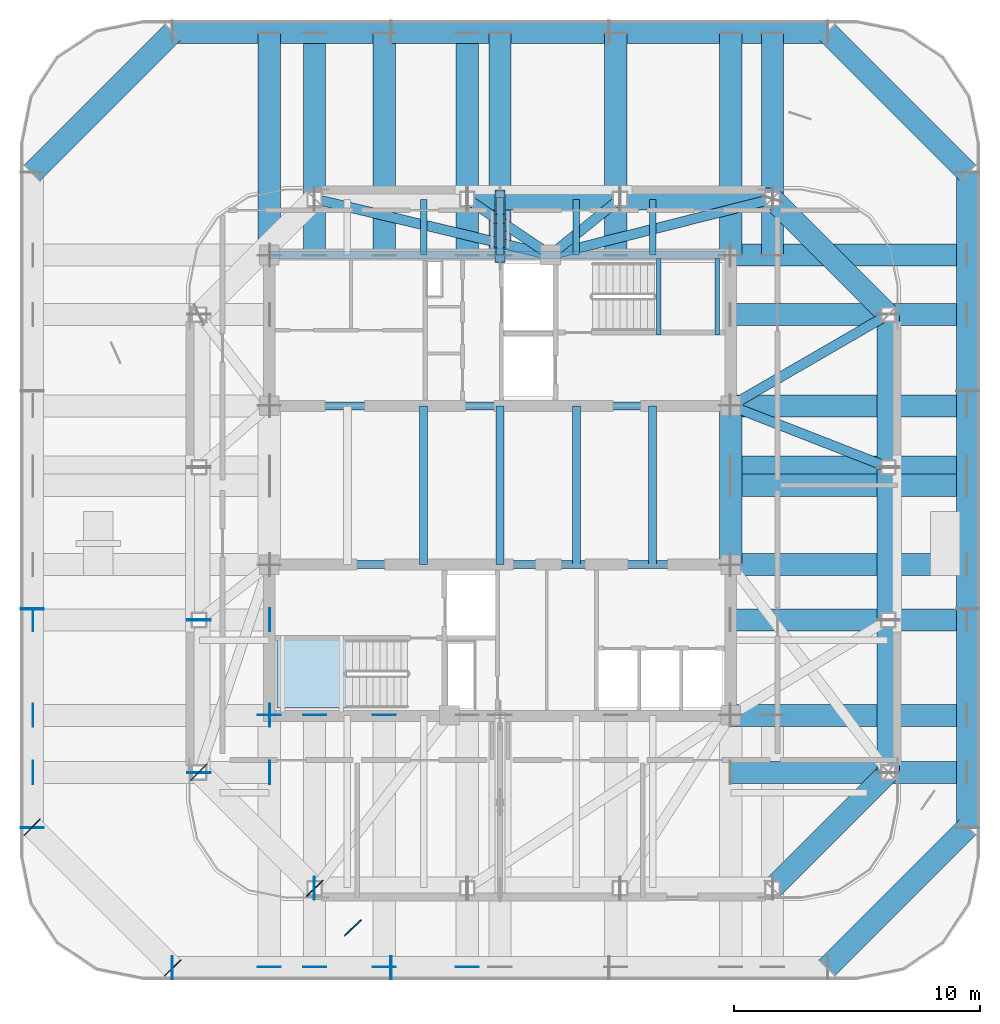
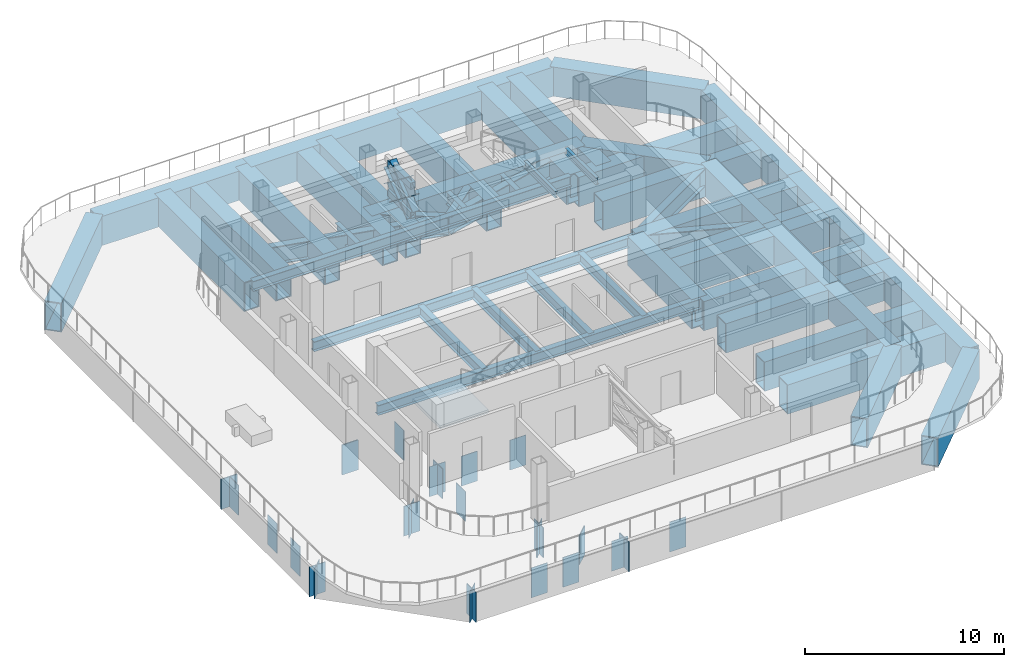
# One storey, part 2 of 10: 52 beams, 29 plates, 5 members, 1 slab, 1 element without a shape of its own.
"""IFC4 building model written with IfcOpenShell, lengths in metres."""

from ifc_helpers import new_model, si_unit, direction, frame, origin, origin_2d, place, context, subcontext, project, spatial, polyline, rectangle, hollow_rectangle, i_section, outline, extrude, material, layer, layer_set, material_profile, profile_set, type_object, element, aggregate, save


model = new_model("IFC4")

# Units and contexts
model_context = context("Model", 3, precision=1e-05, world=origin(), true_north=direction((0.0, 1.0)))
body_context = subcontext(model_context, "Body", "Model", "MODEL_VIEW")
ifc_project = project(units=[si_unit("LENGTHUNIT", "METRE"), si_unit("AREAUNIT", "SQUARE_METRE"), si_unit("VOLUMEUNIT", "CUBIC_METRE"), si_unit("PLANEANGLEUNIT", "RADIAN"), si_unit("MASSUNIT", "GRAM", prefix="KILO")], contexts=[model_context])

# Site, building, storey
site_placement = place(None, origin())
site = spatial("IfcSite", under=ifc_project, at=site_placement, CompositionType="ELEMENT")
building_placement = place(site_placement, origin())
building = spatial("IfcBuilding", under=site, at=building_placement, Name="Qhalaya Broadcast Tower", CompositionType="ELEMENT")
storey_placement = place(building_placement, frame((0.0, 0.0, 231.300048828125)))
storey = spatial("IfcBuildingStorey", under=building, at=storey_placement, Name="L68", CompositionType="ELEMENT", Elevation=231.300048828125)

# Beams
ifc_material_1 = material(Name="Structural Steel ASTM A572 Grade 50", Category="steel")
ifc_material_profile_1 = material_profile(ifc_material_1, hollow_rectangle(XDim=0.89990234375, YDim=1.800048828125, WallThickness=0.06005859375, at=origin_2d()), Name="BOX 900x1800x60")
ifc_profile_set_1 = profile_set([ifc_material_profile_1], Name="Structural Steel ASTM A572 Grade 50")
beam_type_1 = type_object("IfcBeamType", Name="Block Cantilever Transfer Box Girder TG1", PredefinedType="USERDEFINED", material=ifc_profile_set_1)
beam_1_placement = place(storey_placement, frame((11.070068359375, -15.77001953125, -1.179931640625), z_axis=(0.707106781187, 0.707106781187, 0.0), x_axis=(-0.707106781187, 0.707106781187, 0.0)))
element("IfcBeam", 1, at=beam_1_placement, inside=storey, type_object=beam_type_1, Name="L68 TG1 L68-SPR-04", ObjectType="GIRDER", PredefinedType="USERDEFINED", context=body_context, shape_type="SweptSolid", body=[
    extrude(hollow_rectangle(XDim=0.89990234375, YDim=1.800048828125, WallThickness=0.06005859375, at=origin_2d()), origin(), (0.0, 0.0, 1.0), 6.646728515625),
])
beam_2_placement = place(storey_placement, frame((15.77001953125, -11.070068359375, -1.179931640625), z_axis=(0.0, 1.0, 0.0), x_axis=(-1.0, 0.0, 0.0)))
element("IfcBeam", 2, at=beam_2_placement, inside=storey, type_object=beam_type_1, Name="L68 TG1 L68-SPR-05", ObjectType="GIRDER", PredefinedType="USERDEFINED", context=body_context, shape_type="SweptSolid", body=[
    extrude(hollow_rectangle(XDim=0.89990234375, YDim=1.800048828125, WallThickness=0.06005859375, at=origin_2d()), origin(), (0.0, 0.0, 1.0), 6.199951171875),
])
beam_3_placement = place(storey_placement, frame((15.77001953125, -4.8701171875, -1.179931640625), z_axis=(0.0, 1.0, 0.0), x_axis=(-1.0, 0.0, 0.0)))
element("IfcBeam", 3, at=beam_3_placement, inside=storey, type_object=beam_type_1, Name="L68 TG1 L68-SPR-06", ObjectType="GIRDER", PredefinedType="USERDEFINED", context=body_context, shape_type="SweptSolid", body=[
    extrude(hollow_rectangle(XDim=0.89990234375, YDim=1.800048828125, WallThickness=0.06005859375, at=origin_2d()), origin(), (0.0, 0.0, 1.0), 6.2001953125),
])
beam_4_placement = place(storey_placement, frame((15.77001953125, 1.330078125, -1.179931640625), z_axis=(0.0, 1.0, 0.0), x_axis=(-1.0, 0.0, 0.0)))
element("IfcBeam", 4, at=beam_4_placement, inside=storey, type_object=beam_type_1, Name="L68 TG1 L68-SPR-07", ObjectType="GIRDER", PredefinedType="USERDEFINED", context=body_context, shape_type="SweptSolid", body=[
    extrude(hollow_rectangle(XDim=0.89990234375, YDim=1.800048828125, WallThickness=0.06005859375, at=origin_2d()), origin(), (0.0, 0.0, 1.0), 6.199951171875),
])
beam_5_placement = place(storey_placement, frame((15.77001953125, 7.530029296875, -1.179931640625), z_axis=(-0.707106781187, 0.707106781187, 0.0), x_axis=(-0.707106781187, -0.707106781187, 0.0)))
element("IfcBeam", 5, at=beam_5_placement, inside=storey, type_object=beam_type_1, Name="L68 TG1 L68-SPR-08", ObjectType="GIRDER", PredefinedType="USERDEFINED", context=body_context, shape_type="SweptSolid", body=[
    extrude(hollow_rectangle(XDim=0.89990234375, YDim=1.800048828125, WallThickness=0.06005859375, at=origin_2d()), origin(), (0.0, 0.0, 1.0), 6.646728515625),
])
beam_6_placement = place(storey_placement, frame((11.070068359375, 12.22998046875, -1.179931640625), z_axis=(-1.0, 0.0, 0.0), x_axis=(0.0, -1.0, 0.0)))
element("IfcBeam", 6, at=beam_6_placement, inside=storey, type_object=beam_type_1, Name="L68 TG1 L68-SPR-09", ObjectType="GIRDER", PredefinedType="USERDEFINED", context=body_context, shape_type="SweptSolid", body=[
    extrude(hollow_rectangle(XDim=0.89990234375, YDim=1.800048828125, WallThickness=0.06005859375, at=origin_2d()), origin(), (0.0, 0.0, 1.0), 6.199951171875),
])
beam_7_placement = place(storey_placement, frame((4.8701171875, 12.22998046875, -1.179931640625), z_axis=(-1.0, 0.0, 0.0), x_axis=(0.0, -1.0, 0.0)))
element("IfcBeam", 7, at=beam_7_placement, inside=storey, type_object=beam_type_1, Name="L68 TG1 L68-SPR-10", ObjectType="GIRDER", PredefinedType="USERDEFINED", context=body_context, shape_type="SweptSolid", body=[
    extrude(hollow_rectangle(XDim=0.89990234375, YDim=1.800048828125, WallThickness=0.06005859375, at=origin_2d()), origin(), (0.0, 0.0, 1.0), 6.2001953125),
])
beam_8_placement = place(storey_placement, frame((13.300048828125, -19.0, -1.179931640625), z_axis=(0.707106781187, 0.707106781187, 0.0), x_axis=(-0.707106781187, 0.707106781187, 0.0)))
element("IfcBeam", 8, at=beam_8_placement, inside=storey, type_object=beam_type_1, Name="L68 TG1 L68-TGL-04", ObjectType="GIRDER", PredefinedType="USERDEFINED", context=body_context, shape_type="SweptSolid", body=[
    extrude(hollow_rectangle(XDim=0.89990234375, YDim=1.800048828125, WallThickness=0.06005859375, at=origin_2d()), origin(), (0.0, 0.0, 1.0), 8.06103515625),
])
for number, where, z_axis, x_axis, name in (
    (9, (19.0, -13.300048828125, -1.179931640625), (0.0, 1.0, 0.0), (-1.0, 0.0, 0.0), "L68 TG1 L68-TGL-05"),
    (10, (19.0, -4.433349609375, -1.179931640625), (0.0, 1.0, 0.0), (-1.0, 0.0, 0.0), "L68 TG1 L68-TGL-06"),
    (11, (19.0, 4.433349609375, -1.179931640625), (0.0, 1.0, 0.0), (-1.0, 0.0, 0.0), "L68 TG1 L68-TGL-07"),
):
    element("IfcBeam", number, at=place(storey_placement, frame(where, z_axis=z_axis, x_axis=x_axis)), inside=storey, type_object=beam_type_1, Name=name, ObjectType="GIRDER", PredefinedType="USERDEFINED", context=body_context, shape_type="SweptSolid", body=[
        extrude(hollow_rectangle(XDim=0.89990234375, YDim=1.800048828125, WallThickness=0.06005859375, at=origin_2d()), origin(), (0.0, 0.0, 1.0), 8.86669921875),
    ])
beam_9_placement = place(storey_placement, frame((19.0, 13.300048828125, -1.179931640625), z_axis=(-0.707106781187, 0.707106781187, 0.0), x_axis=(-0.707106781187, -0.707106781187, 0.0)))
element("IfcBeam", 12, at=beam_9_placement, inside=storey, type_object=beam_type_1, Name="L68 TG1 L68-TGL-08", ObjectType="GIRDER", PredefinedType="USERDEFINED", context=body_context, shape_type="SweptSolid", body=[
    extrude(hollow_rectangle(XDim=0.89990234375, YDim=1.800048828125, WallThickness=0.06005859375, at=origin_2d()), origin(), (0.0, 0.0, 1.0), 8.06103515625),
])
for number, where, z_axis, x_axis, name in (
    (13, (13.300048828125, 19.0, -1.179931640625), (-1.0, 0.0, 0.0), (0.0, -1.0, 0.0), "L68 TG1 L68-TGL-09"),
    (14, (4.433349609375, 19.0, -1.179931640625), (-1.0, 0.0, 0.0), (0.0, -1.0, 0.0), "L68 TG1 L68-TGL-10"),
    (15, (-4.433349609375, 19.0, -1.179931640625), (-1.0, 0.0, 0.0), (0.0, -1.0, 0.0), "L68 TG1 L68-TGL-11"),
):
    element("IfcBeam", number, at=place(storey_placement, frame(where, z_axis=z_axis, x_axis=x_axis)), inside=storey, type_object=beam_type_1, Name=name, ObjectType="GIRDER", PredefinedType="USERDEFINED", context=body_context, shape_type="SweptSolid", body=[
        extrude(hollow_rectangle(XDim=0.89990234375, YDim=1.800048828125, WallThickness=0.06005859375, at=origin_2d()), origin(), (0.0, 0.0, 1.0), 8.86669921875),
    ])
beam_10_placement = place(storey_placement, frame((-13.300048828125, 19.0, -1.179931640625), z_axis=(-0.707106781187, -0.707106781187, 0.0), x_axis=(0.707106781187, -0.707106781187, 0.0)))
element("IfcBeam", 16, at=beam_10_placement, inside=storey, type_object=beam_type_1, Name="L68 TG1 L68-TGL-12", ObjectType="GIRDER", PredefinedType="USERDEFINED", context=body_context, shape_type="SweptSolid", body=[
    extrude(hollow_rectangle(XDim=0.89990234375, YDim=1.800048828125, WallThickness=0.06005859375, at=origin_2d()), origin(), (0.0, 0.0, 1.0), 8.06103515625),
])
for number, where, z_axis, x_axis, name in (
    (17, (-9.375, 9.949951171875, -1.179931640625), (0.0, 1.0, 0.0), (-1.0, 0.0, 0.0), "L68 TG1 L68-TGINW-1"),
    (18, (9.375, 9.949951171875, -1.179931640625), (0.0, 1.0, 0.0), (-1.0, 0.0, 0.0), "L68 TG1 L68-TGINE-1"),
    (19, (0.0, 9.949951171875, -1.179931640625), (0.0, 1.0, 0.0), (-1.0, 0.0, 0.0), "L68 TG1 L68-TGIMN-1"),
    (20, (-4.699951171875, 9.949951171875, -1.179931640625), (0.0, 1.0, 0.0), (-1.0, 0.0, 0.0), "L68 TG1 L68-TGIMNW-1"),
    (21, (4.699951171875, 9.949951171875, -1.179931640625), (0.0, 1.0, 0.0), (-1.0, 0.0, 0.0), "L68 TG1 L68-TGIMNE-1"),
):
    element("IfcBeam", number, at=place(storey_placement, frame(where, z_axis=z_axis, x_axis=x_axis)), inside=storey, type_object=beam_type_1, Name=name, ObjectType="GIRDER", PredefinedType="USERDEFINED", context=body_context, shape_type="SweptSolid", body=[
        extrude(hollow_rectangle(XDim=0.89990234375, YDim=1.800048828125, WallThickness=0.06005859375, at=origin_2d()), origin(), (0.0, 0.0, 1.0), 9.010009765625),
    ])
beam_11_placement = place(storey_placement, frame((9.375, 0.60009765625, -1.179931640625), z_axis=(1.0, 0.0, 0.0), x_axis=(0.0, 1.0, 0.0)))
element("IfcBeam", 22, at=beam_11_placement, inside=storey, type_object=beam_type_1, Name="L68 TG1 L68-TGIYE-1", ObjectType="GIRDER", PredefinedType="USERDEFINED", context=body_context, shape_type="SweptSolid", body=[
    extrude(hollow_rectangle(XDim=0.89990234375, YDim=1.800048828125, WallThickness=0.06005859375, at=origin_2d()), origin(), (0.0, 0.0, 1.0), 9.5849609375),
])
beam_12_placement = place(storey_placement, frame((9.375, -2.625, -1.179931640625), z_axis=(0.0, 1.0, 0.0), x_axis=(-1.0, 0.0, 0.0)))
element("IfcBeam", 23, at=beam_12_placement, inside=storey, type_object=beam_type_1, Name="L68 TG1 L68-TGIME-1", ObjectType="GIRDER", PredefinedType="USERDEFINED", context=body_context, shape_type="SweptSolid", body=[
    extrude(hollow_rectangle(XDim=0.89990234375, YDim=1.800048828125, WallThickness=0.06005859375, at=origin_2d()), origin(), (0.0, 0.0, 1.0), 6.449951171875),
])
for number, where, z_axis, x_axis, name in (
    (24, (9.375, -8.75, -1.179931640625), (1.0, 0.0, 0.0), (0.0, 1.0, 0.0), "L68 TG1 L68-TGIY1E-1"),
    (25, (9.375, -2.625, -1.179931640625), (1.0, 0.0, 0.0), (0.0, 1.0, 0.0), "L68 TG1 L68-TGIY2E-1"),
    (26, (9.375, 3.824951171875, -1.179931640625), (1.0, 0.0, 0.0), (0.0, 1.0, 0.0), "L68 TG1 L68-TGIY3E-1"),
    (27, (9.375, 9.949951171875, -1.179931640625), (1.0, 0.0, 0.0), (0.0, 1.0, 0.0), "L68 TG1 L68-TGIY4E-1"),
    (28, (9.375, -11.070068359375, -1.179931640625), (1.0, 0.0, 0.0), (0.0, 1.0, 0.0), "L68 Spanning Transfer Box Girder 05"),
    (29, (9.375, -4.8701171875, -1.179931640625), (1.0, 0.0, 0.0), (0.0, 1.0, 0.0), "L68 Spanning Transfer Box Girder 06"),
    (30, (9.375, 1.330078125, -1.179931640625), (1.0, 0.0, 0.0), (0.0, 1.0, 0.0), "L68 Spanning Transfer Box Girder 07"),
    (31, (9.375, 7.530029296875, -1.179931640625), (1.0, 0.0, 0.0), (0.0, 1.0, 0.0), "L68 Spanning Transfer Box Girder 08"),
):
    element("IfcBeam", number, at=place(storey_placement, frame(where, z_axis=z_axis, x_axis=x_axis)), inside=storey, type_object=beam_type_1, Name=name, ObjectType="GIRDER", PredefinedType="USERDEFINED", context=body_context, shape_type="SweptSolid", body=[
        extrude(hollow_rectangle(XDim=0.89990234375, YDim=1.800048828125, WallThickness=0.06005859375, at=origin_2d()), origin(), (0.0, 0.0, 1.0), 9.5849609375),
    ])
for number, where, z_axis, x_axis, name in (
    (32, (11.070068359375, 9.949951171875, -1.179931640625), (0.0, 1.0, 0.0), (-1.0, 0.0, 0.0), "L68 Spanning Transfer Box Girder 09"),
    (33, (-1.330078125, 9.949951171875, -1.179931640625), (0.0, 1.0, 0.0), (-1.0, 0.0, 0.0), "L68 Spanning Transfer Box Girder 11"),
    (34, (-7.530029296875, 9.949951171875, -1.179931640625), (0.0, 1.0, 0.0), (-1.0, 0.0, 0.0), "L68 Spanning Transfer Box Girder 12"),
):
    element("IfcBeam", number, at=place(storey_placement, frame(where, z_axis=z_axis, x_axis=x_axis)), inside=storey, type_object=beam_type_1, Name=name, ObjectType="GIRDER", PredefinedType="USERDEFINED", context=body_context, shape_type="SweptSolid", body=[
        extrude(hollow_rectangle(XDim=0.89990234375, YDim=1.800048828125, WallThickness=0.06005859375, at=origin_2d()), origin(), (0.0, 0.0, 1.0), 9.010009765625),
    ])
ifc_material_2 = material(Name="Structural Steel ASTM A992 Grade 50", Category="steel")
ifc_material_profile_2 = material_profile(ifc_material_2, i_section(OverallWidth=0.323974609375, OverallDepth=0.612060546875, WebThickness=0.0126953125, FlangeThickness=0.01904296875, at=origin_2d()), Name="W24X104")
ifc_profile_set_2 = profile_set([ifc_material_profile_2], Name="Structural Steel ASTM A992 Grade 50")
beam_type_2 = type_object("IfcBeamType", Name="Core Frame Tie Beam B04", PredefinedType="BEAM", material=ifc_profile_set_2)
beam_13_placement = place(storey_placement, frame((-9.375, 3.824951171875, -0.5859375), z_axis=(1.0, 0.0, 0.0), x_axis=(0.0, 1.0, 0.0)))
element("IfcBeam", 35, at=beam_13_placement, inside=storey, type_object=beam_type_2, Name="L68 B04 L68-CCN1", PredefinedType="BEAM", context=body_context, shape_type="SweptSolid", body=[
    extrude(i_section(OverallWidth=0.323974609375, OverallDepth=0.612060546875, WebThickness=0.0126953125, FlangeThickness=0.01904296875, at=origin_2d()), origin(), (0.0, 0.0, 1.0), 18.75),
])
beam_14_placement = place(storey_placement, frame((-9.375, 9.949951171875, -0.5859375), z_axis=(1.0, 0.0, 0.0), x_axis=(0.0, 1.0, 0.0)))
element("IfcBeam", 36, at=beam_14_placement, inside=storey, type_object=beam_type_2, Name="L68 B04 L68-CCN3", PredefinedType="BEAM", context=body_context, shape_type="SweptSolid", body=[
    extrude(i_section(OverallWidth=0.323974609375, OverallDepth=0.612060546875, WebThickness=0.0126953125, FlangeThickness=0.01904296875, at=origin_2d()), origin(), (0.0, 0.0, 1.0), 18.4951171875),
])
beam_15_placement = place(storey_placement, frame((-9.375, -2.625, -0.5859375), z_axis=(1.0, 0.0, 0.0), x_axis=(0.0, 1.0, 0.0)))
element("IfcBeam", 37, at=beam_15_placement, inside=storey, type_object=beam_type_2, Name="L68 B04 L68-CCS1", PredefinedType="BEAM", context=body_context, shape_type="SweptSolid", body=[
    extrude(i_section(OverallWidth=0.323974609375, OverallDepth=0.612060546875, WebThickness=0.0126953125, FlangeThickness=0.01904296875, at=origin_2d()), origin(), (0.0, 0.0, 1.0), 18.75),
])
for number, where, z_axis, x_axis, name in (
    (38, (-3.10009765625, -2.625, -0.5859375), (0.0, 1.0, 0.0), (-1.0, 0.0, 0.0), "L68 B04 L68-JC2-1"),
    (39, (0.0, -2.625, -0.5859375), (0.0, 1.0, 0.0), (-1.0, 0.0, 0.0), "L68 B04 L68-JC3-1"),
    (40, (3.10009765625, -2.625, -0.5859375), (0.0, 1.0, 0.0), (-1.0, 0.0, 0.0), "L68 B04 L68-JC4-1"),
    (41, (6.199951171875, -2.625, -0.5859375), (0.0, 1.0, 0.0), (-1.0, 0.0, 0.0), "L68 B04 L68-JC5-1"),
):
    element("IfcBeam", number, at=place(storey_placement, frame(where, z_axis=z_axis, x_axis=x_axis)), inside=storey, type_object=beam_type_2, Name=name, PredefinedType="BEAM", context=body_context, shape_type="SweptSolid", body=[
        extrude(i_section(OverallWidth=0.323974609375, OverallDepth=0.612060546875, WebThickness=0.0126953125, FlangeThickness=0.01904296875, at=origin_2d()), origin(), (0.0, 0.0, 1.0), 6.449951171875),
    ])

# Members
ifc_material_profile_3 = material_profile(ifc_material_1, i_section(OverallWidth=0.40087890625, OverallDepth=1.0009765625, WebThickness=0.01904296875, FlangeThickness=0.0361328125, at=origin_2d()), Name="W40X249")
ifc_profile_set_3 = profile_set([ifc_material_profile_3], Name="Structural Steel ASTM A572 Grade 50")
member_type_1 = type_object("IfcMemberType", Name="Core-to-Perimeter Outrigger Brace OB1", PredefinedType="BRACE", material=ifc_profile_set_3)
member_1_placement = place(storey_placement, frame((0.0, 9.949951171875, 0.449951171875), z_axis=(0.0, 0.793006847824, 0.609212720898), x_axis=(-1.0, 0.0, 0.0)))
element("IfcMember", 42, at=member_1_placement, inside=storey, type_object=member_type_1, Name="L68 Outrigger Continuous Diagonal NCA", PredefinedType="BRACE", context=body_context, shape_type="SweptSolid", body=[
    extrude(i_section(OverallWidth=0.40087890625, OverallDepth=1.0009765625, WebThickness=0.01904296875, FlangeThickness=0.0361328125, at=origin_2d()), origin(), (0.0, 0.0, 1.0), 2.938232421875),
])
member_2_placement = place(storey_placement, frame((0.0, 9.949951171875, 2.239990234375), z_axis=(0.0, 0.793059405127, -0.609144301409), x_axis=(-1.0, 0.0, 0.0)))
element("IfcMember", 43, at=member_2_placement, inside=storey, type_object=member_type_1, Name="L68 Outrigger Split Diagonal NCB1", PredefinedType="BRACE", context=body_context, shape_type="SweptSolid", body=[
    extrude(i_section(OverallWidth=0.40087890625, OverallDepth=1.0009765625, WebThickness=0.01904296875, FlangeThickness=0.0361328125, at=origin_2d()), origin(), (0.0, 0.0, 1.0), 1.229248046875),
])
member_3_placement = place(storey_placement, frame((0.0, 11.305419921875, 1.19873046875), z_axis=(0.0, 0.792985691226, -0.609240259266), x_axis=(-1.0, 0.0, 0.0)))
element("IfcMember", 44, at=member_3_placement, inside=storey, type_object=member_type_1, Name="L68 Outrigger Split Diagonal NCB2", PredefinedType="BRACE", context=body_context, shape_type="SweptSolid", body=[
    extrude(i_section(OverallWidth=0.40087890625, OverallDepth=1.0009765625, WebThickness=0.01904296875, FlangeThickness=0.0361328125, at=origin_2d()), origin(), (0.0, 0.0, 1.0), 1.22900390625),
])
ifc_material_profile_4 = material_profile(ifc_material_1, hollow_rectangle(XDim=0.300048828125, YDim=0.39990234375, WallThickness=0.02001953125, at=origin_2d()), Name="HSS 300x400x20")
ifc_profile_set_4 = profile_set([ifc_material_profile_4], Name="Structural Steel ASTM A572 Grade 50")
member_type_2 = type_object("IfcMemberType", Name="Outrigger & Belt-Truss Chord CH1", PredefinedType="CHORD", material=ifc_profile_set_4)
for number, where, z_axis, x_axis, name in (
    (45, (0.0, 9.949951171875, 0.449951171875), (0.0, 1.0, 0.0), (-1.0, 0.0, 0.0), "L68 Outrigger Bottom Chord NC"),
    (46, (0.0, 9.949951171875, 2.239990234375), (0.0, 1.0, 0.0), (-1.0, 0.0, 0.0), "L68 Outrigger Top Chord NC"),
):
    element("IfcMember", number, at=place(storey_placement, frame(where, z_axis=z_axis, x_axis=x_axis)), inside=storey, type_object=member_type_2, Name=name, PredefinedType="CHORD", context=body_context, shape_type="SweptSolid", body=[
        extrude(hollow_rectangle(XDim=0.300048828125, YDim=0.39990234375, WallThickness=0.02001953125, at=origin_2d()), origin(), (0.0, 0.0, 1.0), 2.330078125),
    ])

# Beams
ifc_material_profile_5 = material_profile(ifc_material_2, i_section(OverallWidth=0.26708984375, OverallDepth=0.761962890625, WebThickness=0.014404296875, FlangeThickness=0.021484375, at=origin_2d()), Name="W30X116")
ifc_profile_set_5 = profile_set([ifc_material_profile_5], Name="Structural Steel ASTM A992 Grade 50")
beam_type_3 = type_object("IfcBeamType", Name="Plant & Server Floor Beam B02", PredefinedType="BEAM", material=ifc_profile_set_5)
for number, where, z_axis, x_axis, name in (
    (47, (-3.10009765625, 9.949951171875, -0.6611328125), (0.0, 1.0, 0.0), (-1.0, 0.0, 0.0), "L68 B02 L68-JNN2-1"),
    (48, (3.10009765625, 9.949951171875, -0.6611328125), (0.0, 1.0, 0.0), (-1.0, 0.0, 0.0), "L68 B02 L68-JNN4-1"),
    (49, (6.199951171875, 9.949951171875, -0.6611328125), (0.0, 1.0, 0.0), (-1.0, 0.0, 0.0), "L68 B02 L68-JNN5-1"),
):
    element("IfcBeam", number, at=place(storey_placement, frame(where, z_axis=z_axis, x_axis=x_axis)), inside=storey, type_object=beam_type_3, Name=name, PredefinedType="BEAM", context=body_context, shape_type="SweptSolid", body=[
        extrude(i_section(OverallWidth=0.26708984375, OverallDepth=0.761962890625, WebThickness=0.014404296875, FlangeThickness=0.021484375, at=origin_2d()), origin(), (0.0, 0.0, 1.0), 2.260009765625),
    ])
ifc_material_profile_6 = material_profile(ifc_material_2, i_section(OverallWidth=0.404052734375, OverallDepth=1.117919921875, WebThickness=0.026123046875, FlangeThickness=0.044921875, at=origin_2d()), Name="W44X335")
ifc_profile_set_6 = profile_set([ifc_material_profile_6], Name="Structural Steel ASTM A992 Grade 50")
beam_type_4 = type_object("IfcBeamType", Name="Podium Long-Span Primary Girder PG1", PredefinedType="USERDEFINED", material=ifc_profile_set_6)
beam_16_placement = place(storey_placement, frame((9.375, 3.824951171875, -0.839111328125), z_axis=(0.931614337442, -0.363448381855, 0.0), x_axis=(0.363448381855, 0.931614337442, 0.0)))
element("IfcBeam", 50, at=beam_16_placement, inside=storey, type_object=beam_type_4, Name="L68 Column-to-Column Moment Tie Girder 07-1", ObjectType="GIRDER", PredefinedType="USERDEFINED", context=body_context, shape_type="SweptSolid", body=[
    extrude(i_section(OverallWidth=0.404052734375, OverallDepth=1.117919921875, WebThickness=0.026123046875, FlangeThickness=0.044921875, at=origin_2d()), origin(), (0.0, 0.0, 1.0), 6.864501953125),
])
beam_17_placement = place(storey_placement, frame((9.375, 3.824951171875, -0.839111328125), z_axis=(0.86526793032, 0.501309693462, 0.0), x_axis=(-0.501309693462, 0.86526793032, 0.0)))
element("IfcBeam", 51, at=beam_17_placement, inside=storey, type_object=beam_type_4, Name="L68 Column-to-Column Moment Tie Girder 08-1", ObjectType="GIRDER", PredefinedType="USERDEFINED", context=body_context, shape_type="SweptSolid", body=[
    extrude(i_section(OverallWidth=0.404052734375, OverallDepth=1.117919921875, WebThickness=0.026123046875, FlangeThickness=0.044921875, at=origin_2d()), origin(), (0.0, 0.0, 1.0), 7.390869140625),
])
beam_18_placement = place(storey_placement, frame((2.050048828125, 9.949951171875, -0.839111328125), z_axis=(0.969506321963, 0.245066300569, 0.0), x_axis=(-0.245066300569, 0.969506321963, 0.0)))
element("IfcBeam", 52, at=beam_18_placement, inside=storey, type_object=beam_type_4, Name="L68 Column-to-Column Moment Tie Girder 09-2", ObjectType="GIRDER", PredefinedType="USERDEFINED", context=body_context, shape_type="SweptSolid", body=[
    extrude(i_section(OverallWidth=0.404052734375, OverallDepth=1.117919921875, WebThickness=0.026123046875, FlangeThickness=0.044921875, at=origin_2d()), origin(), (0.0, 0.0, 1.0), 9.3037109375),
])
beam_19_placement = place(storey_placement, frame((2.050048828125, 9.949951171875, -0.839111328125), z_axis=(0.777633528471, 0.628717818578, 0.0), x_axis=(-0.628717818578, 0.777633528471, 0.0)))
element("IfcBeam", 53, at=beam_19_placement, inside=storey, type_object=beam_type_4, Name="L68 Column-to-Column Moment Tie Girder 10-1", ObjectType="GIRDER", PredefinedType="USERDEFINED", context=body_context, shape_type="SweptSolid", body=[
    extrude(i_section(OverallWidth=0.404052734375, OverallDepth=1.117919921875, WebThickness=0.026123046875, FlangeThickness=0.044921875, at=origin_2d()), origin(), (0.0, 0.0, 1.0), 3.62646484375),
])
beam_20_placement = place(storey_placement, frame((2.050048828125, 9.949951171875, -0.839111328125), z_axis=(-0.829025647342, 0.55921058292, 0.0), x_axis=(-0.55921058292, -0.829025647342, 0.0)))
element("IfcBeam", 54, at=beam_20_placement, inside=storey, type_object=beam_type_4, Name="L68 Column-to-Column Moment Tie Girder 11-1", ObjectType="GIRDER", PredefinedType="USERDEFINED", context=body_context, shape_type="SweptSolid", body=[
    extrude(i_section(OverallWidth=0.404052734375, OverallDepth=1.117919921875, WebThickness=0.026123046875, FlangeThickness=0.044921875, at=origin_2d()), origin(), (0.0, 0.0, 1.0), 4.0771484375),
])
beam_21_placement = place(storey_placement, frame((2.050048828125, 9.949951171875, -0.839111328125), z_axis=(-0.972827756943, 0.231530031144, 0.0), x_axis=(-0.231530031144, -0.972827756943, 0.0)))
element("IfcBeam", 55, at=beam_21_placement, inside=storey, type_object=beam_type_4, Name="L68 Column-to-Column Moment Tie Girder 12-3", ObjectType="GIRDER", PredefinedType="USERDEFINED", context=body_context, shape_type="SweptSolid", body=[
    extrude(i_section(OverallWidth=0.404052734375, OverallDepth=1.117919921875, WebThickness=0.026123046875, FlangeThickness=0.044921875, at=origin_2d()), origin(), (0.0, 0.0, 1.0), 9.84765625),
])
ifc_material_profile_7 = material_profile(ifc_material_2, i_section(OverallWidth=0.177978515625, OverallDepth=0.406005859375, WebThickness=0.0078125, FlangeThickness=0.0126953125, at=origin_2d()), Name="W16X40")
ifc_profile_set_7 = profile_set([ifc_material_profile_7], Name="Structural Steel ASTM A992 Grade 50")
beam_type_5 = type_object("IfcBeamType", Name="Upper Perimeter Spandrel Beam SP2", PredefinedType="SPANDREL", material=ifc_profile_set_7)
for number, where, z_axis, x_axis, name in (
    (56, (6.455078125, 6.699951171875, 1.39697265625), (0.0, 1.0, 0.0), (-1.0, 0.0, 0.0), "L68 ST-1 Half-Landing Bearer Beam 1"),
    (57, (8.830078125, 6.699951171875, 1.39697265625), (0.0, 1.0, 0.0), (-1.0, 0.0, 0.0), "L68 ST-1 Half-Landing Bearer Beam 2"),
):
    element("IfcBeam", number, at=place(storey_placement, frame(where, z_axis=z_axis, x_axis=x_axis)), inside=storey, type_object=beam_type_5, Name=name, PredefinedType="SPANDREL", context=body_context, shape_type="SweptSolid", body=[
        extrude(i_section(OverallWidth=0.177978515625, OverallDepth=0.406005859375, WebThickness=0.0078125, FlangeThickness=0.0126953125, at=origin_2d()), origin(), (0.0, 0.0, 1.0), 3.1201171875),
    ])

# Plates
ifc_layer_1 = layer(ifc_material_1, 0.4599609375, Name="Structural Steel ASTM A572 Grade 50")
ifc_layer_set_1 = layer_set([ifc_layer_1], Name="Structural Steel ASTM A572 Grade 50")
plate_type_1 = type_object("IfcPlateType", Name="Hollow Box Member End Cap Plate CP-01", PredefinedType="USERDEFINED", material=ifc_layer_set_1)
for number, where, z_axis, x_axis, name in (
    (58, (-7.5458984375, -15.77001953125, -2.10009765625), (0.0, 0.0, 1.0), (0.0, 1.0, 0.0), "L68 Hollow Girder End Cap L68-SPR-01-A"),
    (59, (-12.22998046875, -4.885986328125, -2.10009765625), (0.0, 0.0, 1.0), (1.0, 0.0, 0.0), "L68 Hollow Girder End Cap L68-SPR-14-B"),
    (60, (-12.22998046875, -4.85400390625, -2.10009765625), (0.0, 0.0, 1.0), (1.0, 0.0, 0.0), "L68 Hollow Girder End Cap L68-SPR-15-A"),
    (61, (-12.22998046875, -11.0859375, -2.10009765625), (0.0, 0.0, 1.0), (1.0, 0.0, 0.0), "L68 Hollow Girder End Cap L68-SPR-15-B"),
    (62, (-12.2412109375, -11.05859375, -2.10009765625), (0.0, 0.0, 1.0), (0.707106781187, 0.707106781187, 0.0), "L68 Hollow Girder End Cap L68-SPR-16-A"),
    (63, (-7.518798828125, -15.78125, -2.10009765625), (0.0, 0.0, 1.0), (0.707106781187, 0.707106781187, 0.0), "L68 Hollow Girder End Cap L68-SPR-16-B"),
    (64, (-13.31591796875, -19.0, -2.10009765625), (0.0, 0.0, 1.0), (0.0, 1.0, 0.0), "L68 Hollow Girder End Cap L68-TGL-01-A"),
    (65, (-4.417236328125, -19.0, -2.10009765625), (0.0, 0.0, 1.0), (0.0, 1.0, 0.0), "L68 Hollow Girder End Cap L68-TGL-01-B"),
    (66, (-4.44921875, -19.0, -2.10009765625), (0.0, 0.0, 1.0), (0.0, 1.0, 0.0), "L68 Hollow Girder End Cap L68-TGL-02-A"),
    (67, (-19.0, -4.44921875, -2.10009765625), (0.0, 0.0, 1.0), (1.0, 0.0, 0.0), "L68 Hollow Girder End Cap L68-TGL-14-B"),
    (68, (-19.0, -4.417236328125, -2.10009765625), (0.0, 0.0, 1.0), (1.0, 0.0, 0.0), "L68 Hollow Girder End Cap L68-TGL-15-A"),
    (69, (-19.0, -13.31591796875, -2.10009765625), (0.0, 0.0, 1.0), (1.0, 0.0, 0.0), "L68 Hollow Girder End Cap L68-TGL-15-B"),
    (70, (-19.01123046875, -13.288818359375, -2.10009765625), (0.0, 0.0, 1.0), (0.707106781187, 0.707106781187, 0.0), "L68 Hollow Girder End Cap L68-TGL-16-A"),
    (71, (-13.288818359375, -19.01123046875, -2.10009765625), (0.0, 0.0, 1.0), (0.707106781187, 0.707106781187, 0.0), "L68 Hollow Girder End Cap L68-TGL-16-B"),
    (72, (-4.699951171875, -18.97607421875, -2.10009765625), (0.0, 0.0, 1.0), (-1.0, 0.0, 0.0), "L68 Hollow Girder End Cap L68-TGIMSW-1-A"),
    (73, (-4.699951171875, -8.73388671875, -2.10009765625), (0.0, 0.0, 1.0), (-1.0, 0.0, 0.0), "L68 Hollow Girder End Cap L68-TGIMSW-1-B"),
    (74, (-9.375, -18.97607421875, -2.10009765625), (0.0, 0.0, 1.0), (-1.0, 0.0, 0.0), "L68 Hollow Girder End Cap L68-TGISW-1-A"),
    (75, (-9.375, -8.73388671875, -2.10009765625), (0.0, 0.0, 1.0), (-1.0, 0.0, 0.0), "L68 Hollow Girder End Cap L68-TGISW-1-B"),
    (76, (-18.97607421875, -8.75, -2.10009765625), (0.0, 0.0, 1.0), (0.0, 1.0, 0.0), "L68 Hollow Girder End Cap L68-TGIY1W-1-A"),
    (77, (-9.35888671875, -8.75, -2.10009765625), (0.0, 0.0, 1.0), (0.0, 1.0, 0.0), "L68 Hollow Girder End Cap L68-TGIY1W-1-B"),
    (78, (-7.530029296875, -18.97607421875, -2.10009765625), (0.0, 0.0, 1.0), (-1.0, 0.0, 0.0), "L68 Hollow Girder End Cap L68-TGC-01-A"),
    (79, (-7.530029296875, -8.73388671875, -2.10009765625), (0.0, 0.0, 1.0), (-1.0, 0.0, 0.0), "L68 Hollow Girder End Cap L68-TGC-01-B"),
):
    element("IfcPlate", number, at=place(storey_placement, frame(where, z_axis=z_axis, x_axis=x_axis)), inside=storey, type_object=plate_type_1, Name=name, ObjectType="COVER_PLATE", PredefinedType="USERDEFINED", context=body_context, shape_type="SweptSolid", body=[
        extrude(rectangle(XDim=0.93994140625, YDim=0.031982421875, at=origin_2d()), origin(), (0.0, 0.0, 1.0), 1.840087890625),
    ])
plate_1_placement = place(storey_placement, frame((-7.530029296875, -15.77001953125, -2.080078125), z_axis=(0.0, 0.0, 1.0), x_axis=(-0.721844783953, -0.692054989058, 0.0)))
element("IfcPlate", 80, at=plate_1_placement, inside=storey, type_object=plate_type_1, Name="L68 Transfer Box End Cap 01", ObjectType="COVER_PLATE", PredefinedType="USERDEFINED", context=body_context, shape_type="SweptSolid", body=[
    extrude(rectangle(XDim=0.919921875, YDim=0.035888671875, at=origin_2d()), origin(), (0.0, 0.0, 1.0), 1.800048828125),
])
for number, where, z_axis, x_axis, name in (
    (81, (-1.330078125, -18.97607421875, -2.10009765625), (0.0, 0.0, 1.0), (-1.0, 0.0, 0.0), "L68 Hollow Girder End Cap L68-TGC-02-A"),
    (82, (-18.97607421875, -4.8701171875, -2.10009765625), (0.0, 0.0, 1.0), (0.0, 1.0, 0.0), "L68 Hollow Girder End Cap L68-TGC-15-A"),
    (83, (-9.35888671875, -4.8701171875, -2.10009765625), (0.0, 0.0, 1.0), (0.0, 1.0, 0.0), "L68 Hollow Girder End Cap L68-TGC-15-B"),
    (84, (-18.97607421875, -11.070068359375, -2.10009765625), (0.0, 0.0, 1.0), (0.0, 1.0, 0.0), "L68 Hollow Girder End Cap L68-TGC-16-A"),
    (85, (-9.35888671875, -11.070068359375, -2.10009765625), (0.0, 0.0, 1.0), (0.0, 1.0, 0.0), "L68 Hollow Girder End Cap L68-TGC-16-B"),
):
    element("IfcPlate", number, at=place(storey_placement, frame(where, z_axis=z_axis, x_axis=x_axis)), inside=storey, type_object=plate_type_1, Name=name, ObjectType="COVER_PLATE", PredefinedType="USERDEFINED", context=body_context, shape_type="SweptSolid", body=[
        extrude(rectangle(XDim=0.93994140625, YDim=0.031982421875, at=origin_2d()), origin(), (0.0, 0.0, 1.0), 1.840087890625),
    ])

# Stair, slab
ifc_material_3 = material(Name="Concrete C40/50", Category="concrete")
stair_type = type_object("IfcStairType", Name="Protected Dogleg Core Stair 3600", PredefinedType="TWO_STRAIGHT_RUN_STAIR", material=ifc_material_3)
stair_placement = place(storey_placement, origin())
stair = element("IfcStair", 86, at=stair_placement, inside=storey, type_object=stair_type, Name="L68 South Core Exit Stair ST-2", PredefinedType="TWO_STRAIGHT_RUN_STAIR")
ifc_layer_2 = layer(ifc_material_3, 0.199951171875, Name="Concrete C40/50")
ifc_layer_set_2 = layer_set([ifc_layer_2], Name="Concrete C40/50")
slab_type = type_object("IfcSlabType", Name="Stair & Ramp Half-Landing Slab 200", PredefinedType="LANDING", material=ifc_layer_set_2)
slab_placement = place(storey_placement, frame((0.0, 0.0, 1.599853515625)))
slab = element("IfcSlab", 87, at=slab_placement, type_object=slab_type, Name="ST-2 landing 1", PredefinedType="LANDING", context=body_context, shape_type="SweptSolid", body=[
    extrude(outline(polyline([(-6.235107421875, -5.679931640625), (-9.050048828125, -5.679931640625), (-9.050048828125, -8.43994140625), (-6.235107421875, -8.43994140625), (-6.235107421875, -5.679931640625)])), origin(), (0.0, 0.0, 1.0), 0.2001953125),
])
aggregate(stair, [slab])

# Plate
ifc_layer_3 = layer(ifc_material_1, 0.044921875, Name="Structural Steel ASTM A572 Grade 50")
ifc_layer_set_3 = layer_set([ifc_layer_3], Name="Structural Steel ASTM A572 Grade 50")
plate_type_2 = type_object("IfcPlateType", Name="Transfer Girder Web Stiffener Plate WS-01", PredefinedType="USERDEFINED", material=ifc_layer_set_3)
plate_2_placement = place(storey_placement, frame((-5.981689453125, -17.385009765625, -2.080078125), z_axis=(0.0, 0.0, 1.0), x_axis=(-0.721844783953, -0.692054989058, 0.0)))
element("IfcPlate", 88, at=plate_2_placement, inside=storey, type_object=plate_type_2, Name="L68 Transfer Girder Stiffener 01", ObjectType="STIFFENER_PLATE", PredefinedType="USERDEFINED", context=body_context, shape_type="SweptSolid", body=[
    extrude(rectangle(XDim=0.93994140625, YDim=0.044921875, at=origin_2d()), origin(), (0.0, 0.0, 1.0), 1.800048828125),
])

save(model, "model.ifc")
